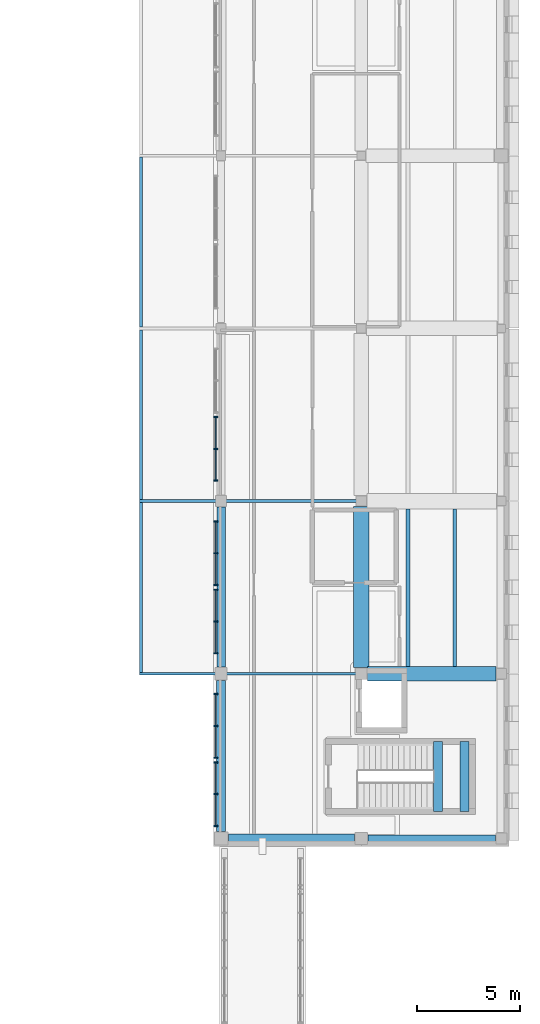
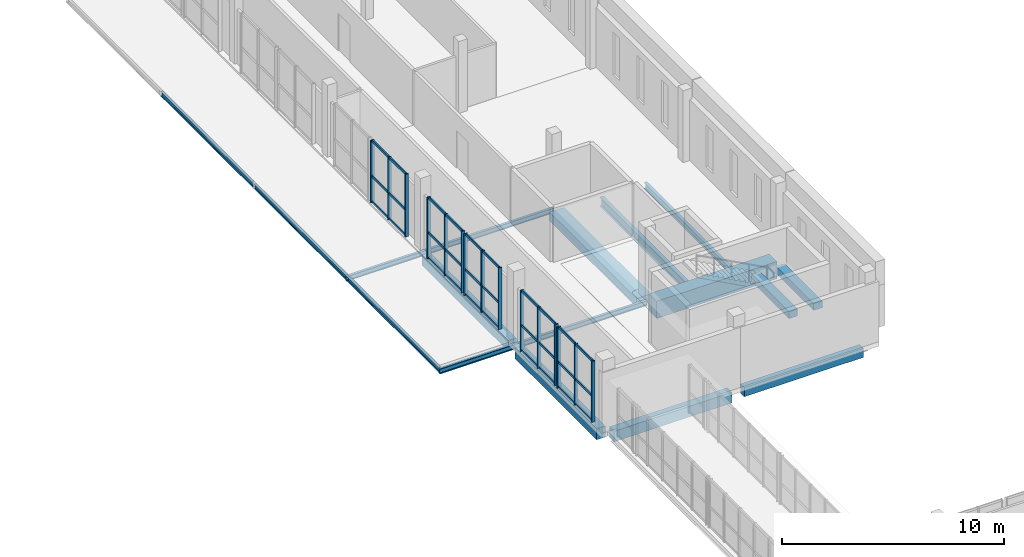
# One storey, part 33 of 76: 45 members, 15 beams, 5 elements without a shape of their own.
"""IFC4 building model written with IfcOpenShell, lengths in metres."""

from ifc_helpers import new_model, si_unit, direction, frame, origin, origin_2d, place, context, subcontext, project, spatial, rectangle, i_section, extrude, material, layer, layer_set, material_profile, profile_set, type_object, element, aggregate, save


model = new_model("IFC4")

# Units and contexts
model_context = context("Model", 3, precision=1e-05, world=origin(), true_north=direction((0.0, 1.0)))
body_context = subcontext(model_context, "Body", "Model", "MODEL_VIEW")
ifc_project = project(units=[si_unit("LENGTHUNIT", "METRE"), si_unit("AREAUNIT", "SQUARE_METRE"), si_unit("VOLUMEUNIT", "CUBIC_METRE"), si_unit("PLANEANGLEUNIT", "RADIAN"), si_unit("MASSUNIT", "GRAM", prefix="KILO")], contexts=[model_context])

# Site, building, storey
site_placement = place(None, origin())
site = spatial("IfcSite", under=ifc_project, at=site_placement, CompositionType="ELEMENT")
building_placement = place(site_placement, origin())
building = spatial("IfcBuilding", under=site, at=building_placement, Name="Vardoun Plaza Health Centre", CompositionType="ELEMENT")
storey_placement = place(building_placement, frame((0.0, 0.0, 4.5)))
storey = spatial("IfcBuildingStorey", under=building, at=storey_placement, Name="L01", CompositionType="ELEMENT", Elevation=4.5)

# Beams
ifc_material_1 = material(Name="Concrete C35/45", Category="concrete")
ifc_material_profile_1 = material_profile(ifc_material_1, rectangle(XDim=0.35009765625, YDim=0.5, at=origin_2d()), Name="RC-BM 350x500")
ifc_profile_set_1 = profile_set([ifc_material_profile_1], Name="Concrete C35/45")
beam_type_1 = type_object("IfcBeamType", Name="B-08", PredefinedType="SPANDREL", material=ifc_profile_set_1)
beam_1_placement = place(storey_placement, frame((158.425048828125, 36.679931640625, -0.5), z_axis=(1.0, 0.0, 0.0), x_axis=(0.0, 1.0, 0.0)))
element("IfcBeam", 1, at=beam_1_placement, inside=storey, type_object=beam_type_1, Name="V6 L01 Beam B-V6-L01-X03", PredefinedType="SPANDREL", context=body_context, shape_type="SweptSolid", body=[
    extrude(rectangle(XDim=0.35009765625, YDim=0.5, at=origin_2d()), origin(), (0.0, 0.0, 1.0), 6.195068359375),
])
ifc_material_2 = material(Name="Concrete C35/45", Category="concrete")
ifc_material_profile_2 = material_profile(ifc_material_2, rectangle(XDim=0.419921875, YDim=0.580078125, at=origin_2d()), Name="RC-BM 420x580")
ifc_profile_set_2 = profile_set([ifc_material_profile_2], Name="Concrete C35/45")
beam_type_2 = type_object("IfcBeamType", Name="B-10", PredefinedType="SPANDREL", material=ifc_profile_set_2)
beam_2_placement = place(storey_placement, frame((151.6298828125, 36.679931640625, -0.5400390625), z_axis=(1.0, 0.0, 0.0), x_axis=(0.0, 1.0, 0.0)))
element("IfcBeam", 2, at=beam_2_placement, inside=storey, type_object=beam_type_2, Name="V6 L01 Beam B-V6-L01-X01", PredefinedType="SPANDREL", context=body_context, shape_type="SweptSolid", body=[
    extrude(rectangle(XDim=0.419921875, YDim=0.580078125, at=origin_2d()), origin(), (0.0, 0.0, 1.0), 6.14501953125),
])
beam_3_placement = place(storey_placement, frame((151.280029296875, 45.025146484375, -0.5400390625), z_axis=(0.0, 1.0, 0.0), x_axis=(-1.0, 0.0, 0.0)))
element("IfcBeam", 3, at=beam_3_placement, inside=storey, type_object=beam_type_2, Name="V6 L01 Beam B-V6-L01-Y11", PredefinedType="SPANDREL", context=body_context, shape_type="SweptSolid", body=[
    extrude(rectangle(XDim=0.419921875, YDim=0.580078125, at=origin_2d()), origin(), (0.0, 0.0, 1.0), 7.77490234375),
])
ifc_material_3 = material(Name="Concrete C35/45", Category="concrete")
ifc_material_profile_3 = material_profile(ifc_material_3, rectangle(XDim=0.449951171875, YDim=0.3798828125, at=origin_2d()), Name="RC-BM 450x380")
ifc_profile_set_3 = profile_set([ifc_material_profile_3], Name="Concrete C35/45")
beam_type_3 = type_object("IfcBeamType", Name="B-01", PredefinedType="BEAM", material=ifc_profile_set_3)
for number, where, z_axis, x_axis, name in (
    (4, (161.840087890625, 38.0, 1.7099609375), (0.0, 1.0, 0.0), (-1.0, 0.0, 0.0), "Stair ST-C10-L01 Landing Beam 1"),
    (5, (163.1201171875, 38.0, 1.7099609375), (0.0, 1.0, 0.0), (-1.0, 0.0, 0.0), "Stair ST-C10-L01 Landing Beam 2"),
):
    element("IfcBeam", number, at=place(storey_placement, frame(where, z_axis=z_axis, x_axis=x_axis)), inside=storey, type_object=beam_type_3, Name=name, PredefinedType="BEAM", context=body_context, shape_type="SweptSolid", body=[
        extrude(rectangle(XDim=0.449951171875, YDim=0.3798828125, at=origin_2d()), origin(), (0.0, 0.0, 1.0), 3.400146484375),
    ])
ifc_material_4 = material(Name="Concrete C35/45", Category="concrete")
ifc_material_profile_4 = material_profile(ifc_material_4, rectangle(XDim=0.449951171875, YDim=0.60009765625, at=origin_2d()), Name="RC-BM 450x600")
ifc_profile_set_4 = profile_set([ifc_material_profile_4], Name="Concrete C35/45")
beam_type_4 = type_object("IfcBeamType", Name="B-11", PredefinedType="SPANDREL", material=ifc_profile_set_4)
beam_4_placement = place(storey_placement, frame((151.280029296875, 37.030029296875, -0.550048828125), z_axis=(0.0, 1.0, 0.0), x_axis=(-1.0, 0.0, 0.0)))
element("IfcBeam", 6, at=beam_4_placement, inside=storey, type_object=beam_type_4, Name="V6 L01 Beam B-V6-L01-Y10", PredefinedType="SPANDREL", context=body_context, shape_type="SweptSolid", body=[
    extrude(rectangle(XDim=0.449951171875, YDim=0.60009765625, at=origin_2d()), origin(), (0.0, 0.0, 1.0), 7.344970703125),
])
ifc_material_5 = material(Name="Concrete C40/50", Category="concrete")
ifc_material_profile_5 = material_profile(ifc_material_5, rectangle(XDim=0.699951171875, YDim=0.949951171875, at=origin_2d()), Name="RC-BM 700x950")
ifc_profile_set_5 = profile_set([ifc_material_profile_5], Name="Concrete C40/50")
beam_type_5 = type_object("IfcBeamType", Name="B-16", PredefinedType="LINTEL", material=ifc_profile_set_5)
beam_5_placement = place(storey_placement, frame((158.39990234375, 44.699951171875, -0.72509765625), z_axis=(1.0, 0.0, 0.0), x_axis=(0.0, 1.0, 0.0)))
element("IfcBeam", 7, at=beam_5_placement, inside=storey, type_object=beam_type_5, Name="V6 L01 Beam B-V6-L01-X04", PredefinedType="LINTEL", context=body_context, shape_type="SweptSolid", body=[
    extrude(rectangle(XDim=0.699951171875, YDim=0.949951171875, at=origin_2d()), origin(), (0.0, 0.0, 1.0), 6.2451171875),
])
ifc_material_6 = material(Name="Concrete C35/45", Category="concrete")
ifc_material_profile_6 = material_profile(ifc_material_6, rectangle(XDim=0.75, YDim=0.47998046875, at=origin_2d()), Name="RC-BM 750x480")
ifc_profile_set_6 = profile_set([ifc_material_profile_6], Name="Concrete C35/45")
beam_type_6 = type_object("IfcBeamType", Name="B-07", PredefinedType="BEAM", material=ifc_profile_set_6)
beam_6_placement = place(storey_placement, frame((158.10009765625, 45.0, -0.489990234375), z_axis=(0.0, 1.0, 0.0), x_axis=(-1.0, 0.0, 0.0)))
element("IfcBeam", 8, at=beam_6_placement, inside=storey, type_object=beam_type_6, Name="V6 L01 Beam B-V6-L01-Y16", PredefinedType="BEAM", context=body_context, shape_type="SweptSolid", body=[
    extrude(rectangle(XDim=0.75, YDim=0.47998046875, at=origin_2d()), origin(), (0.0, 0.0, 1.0), 7.824951171875),
])
ifc_material_7 = material(Name="Steel S355J2", Category="steel")
ifc_material_profile_7 = material_profile(ifc_material_7, i_section(OverallWidth=0.135009765625, OverallDepth=0.27001953125, WebThickness=0.006591796875, FlangeThickness=0.01025390625, FilletRadius=0.014892578125, at=origin_2d()), Name="IPE 270")
ifc_profile_set_7 = profile_set([ifc_material_profile_7], Name="Steel S355J2")
beam_type_7 = type_object("IfcBeamType", Name="SB-16", PredefinedType="JOIST", material=ifc_profile_set_7)
for number, where, z_axis, x_axis, name in (
    (9, (158.10009765625, 44.699951171875, -0.39990234375), (-1.0, 0.0, 0.0), (0.0, -1.0, 0.0), "Forecourt Canopy Continuous Girder 1"),
    (10, (158.10009765625, 53.10009765625, -0.39990234375), (-1.0, 0.0, 0.0), (0.0, -1.0, 0.0), "Forecourt Canopy Continuous Girder 2"),
):
    element("IfcBeam", number, at=place(storey_placement, frame(where, z_axis=z_axis, x_axis=x_axis)), inside=storey, type_object=beam_type_7, Name=name, PredefinedType="JOIST", context=body_context, shape_type="SweptSolid", body=[
        extrude(i_section(OverallWidth=0.135009765625, OverallDepth=0.27001953125, WebThickness=0.006591796875, FlangeThickness=0.01025390625, FilletRadius=0.014892578125, at=origin_2d()), origin(), (0.0, 0.0, 1.0), 10.800048828125),
    ])
for number, where, z_axis, x_axis, name in (
    (11, (147.3798828125, 44.76806640625, -0.39990234375), (0.0, 1.0, 0.0), (-1.0, 0.0, 0.0), "Forecourt Canopy West Fascia Beam W1"),
    (12, (147.3798828125, 53.16796875, -0.39990234375), (0.0, 1.0, 0.0), (-1.0, 0.0, 0.0), "Forecourt Canopy West Fascia Beam W2"),
    (13, (147.3798828125, 61.568115234375, -0.39990234375), (0.0, 1.0, 0.0), (-1.0, 0.0, 0.0), "Forecourt Canopy West Fascia Beam W3"),
):
    element("IfcBeam", number, at=place(storey_placement, frame(where, z_axis=z_axis, x_axis=x_axis)), inside=storey, type_object=beam_type_7, Name=name, PredefinedType="JOIST", context=body_context, shape_type="SweptSolid", body=[
        extrude(i_section(OverallWidth=0.135009765625, OverallDepth=0.27001953125, WebThickness=0.006591796875, FlangeThickness=0.01025390625, FilletRadius=0.014892578125, at=origin_2d()), origin(), (0.0, 0.0, 1.0), 8.263916015625),
    ])
ifc_material_8 = material(Name="Steel S355J2", Category="steel")
ifc_material_profile_8 = material_profile(ifc_material_8, i_section(OverallWidth=0.159912109375, OverallDepth=0.330078125, WebThickness=0.007568359375, FlangeThickness=0.011474609375, FilletRadius=0.01806640625, at=origin_2d()), Name="IPE 330")
ifc_profile_set_8 = profile_set([ifc_material_profile_8], Name="Steel S355J2")
beam_type_8 = type_object("IfcBeamType", Name="SB-14", PredefinedType="JOIST", material=ifc_profile_set_8)
beam_7_placement = place(storey_placement, frame((162.64697265625, 45.050048828125, -0.4150390625), z_axis=(0.0, 1.0, 0.0), x_axis=(-1.0, 0.0, 0.0)))
element("IfcBeam", 14, at=beam_7_placement, inside=storey, type_object=beam_type_8, Name="V6 L01 Secondary Floor Beam SJ-V6-L01-05", PredefinedType="JOIST", context=body_context, shape_type="SweptSolid", body=[
    extrude(i_section(OverallWidth=0.159912109375, OverallDepth=0.330078125, WebThickness=0.007568359375, FlangeThickness=0.011474609375, FilletRadius=0.01806640625, at=origin_2d()), origin(), (0.0, 0.0, 1.0), 7.675048828125),
])
ifc_material_9 = material(Name="Steel S355J2", Category="steel")
ifc_material_profile_9 = material_profile(ifc_material_9, i_section(OverallWidth=0.199951171875, OverallDepth=0.5, WebThickness=0.01025390625, FlangeThickness=0.01611328125, FilletRadius=0.02099609375, at=origin_2d()), Name="IPE 500")
ifc_profile_set_9 = profile_set([ifc_material_profile_9], Name="Steel S355J2")
beam_type_9 = type_object("IfcBeamType", Name="SB-10", PredefinedType="BEAM", material=ifc_profile_set_9)
beam_8_placement = place(storey_placement, frame((160.373046875, 45.050048828125, -0.5), z_axis=(0.0, 1.0, 0.0), x_axis=(-1.0, 0.0, 0.0)))
element("IfcBeam", 15, at=beam_8_placement, inside=storey, type_object=beam_type_9, Name="V6 L01 Secondary Floor Beam SJ-V6-L01-01", PredefinedType="BEAM", context=body_context, shape_type="SweptSolid", body=[
    extrude(i_section(OverallWidth=0.199951171875, OverallDepth=0.5, WebThickness=0.01025390625, FlangeThickness=0.01611328125, FilletRadius=0.02099609375, at=origin_2d()), origin(), (0.0, 0.0, 1.0), 7.675048828125),
])

# Curtain wall, members
ifc_material_10 = material(Name="Aluminium Alloy EN AW-6063-T6 and Low-E Glass", Category="aluminium")
ifc_layer = layer(ifc_material_10, 0.179931640625)
ifc_layer_set = layer_set([ifc_layer], Name="Aluminium Alloy EN AW-6063-T6 and Low-E Glass")
curtain_wall_type = type_object("IfcCurtainWallType", Name="CW-01", PredefinedType="USERDEFINED", material=ifc_layer_set)
curtain_wall_1_placement = place(storey_placement, origin())
curtain_wall_1 = element("IfcCurtainWall", 16, at=curtain_wall_1_placement, inside=storey, type_object=curtain_wall_type, Name="Curtain Wall CW-V6-203", ObjectType="CONCOURSE_CURTAIN_WALL", PredefinedType="USERDEFINED")
ifc_material_11 = material(Name="Aluminium Alloy EN AW-6063-T6", Category="aluminium")
ifc_material_profile_10 = material_profile(ifc_material_11, rectangle(XDim=0.179931640625, YDim=0.06494140625, at=origin_2d()), Name="CWM 65x180")
ifc_profile_set_10 = profile_set([ifc_material_profile_10], Name="Aluminium Alloy EN AW-6063-T6")
member_type_1 = type_object("IfcMemberType", Name="CW-M2", PredefinedType="MULLION", material=ifc_profile_set_10)
member_1_placement = place(storey_placement, frame((151.02001953125, 37.29248046875, 0.0), z_axis=(0.0, 0.0, 1.0), x_axis=(-1.0, 0.0, 0.0)))
member_1 = element("IfcMember", 17, at=member_1_placement, type_object=member_type_1, Name="CW-V6-203 mullion 1", PredefinedType="MULLION", context=body_context, shape_type="SweptSolid", body=[
    extrude(rectangle(XDim=0.179931640625, YDim=0.06494140625, at=origin_2d()), origin(), (0.0, 0.0, 1.0), 3.35498046875),
])
member_2_placement = place(storey_placement, frame((151.02001953125, 38.840087890625, 0.0), z_axis=(0.0, 0.0, 1.0), x_axis=(-1.0, 0.0, 0.0)))
member_2 = element("IfcMember", 18, at=member_2_placement, type_object=member_type_1, Name="CW-V6-203 mullion 2", PredefinedType="MULLION", context=body_context, shape_type="SweptSolid", body=[
    extrude(rectangle(XDim=0.179931640625, YDim=0.06494140625, at=origin_2d()), origin(), (0.0, 0.0, 1.0), 3.35498046875),
])
member_3_placement = place(storey_placement, frame((151.02001953125, 40.387451171875, 0.0), z_axis=(0.0, 0.0, 1.0), x_axis=(-1.0, 0.0, 0.0)))
member_3 = element("IfcMember", 19, at=member_3_placement, type_object=member_type_1, Name="CW-V6-203 mullion 3", PredefinedType="MULLION", context=body_context, shape_type="SweptSolid", body=[
    extrude(rectangle(XDim=0.179931640625, YDim=0.06494140625, at=origin_2d()), origin(), (0.0, 0.0, 1.0), 3.35498046875),
])

curtain_wall_2_placement = place(storey_placement, origin())
curtain_wall_2 = element("IfcCurtainWall", 20, at=curtain_wall_2_placement, inside=storey, type_object=curtain_wall_type, Name="Curtain Wall CW-V6-204", ObjectType="CONCOURSE_CURTAIN_WALL", PredefinedType="USERDEFINED")
member_4_placement = place(storey_placement, frame((151.02001953125, 40.612548828125, 0.0), z_axis=(0.0, 0.0, 1.0), x_axis=(-1.0, 0.0, 0.0)))
member_4 = element("IfcMember", 21, at=member_4_placement, type_object=member_type_1, Name="CW-V6-204 mullion 1", PredefinedType="MULLION", context=body_context, shape_type="SweptSolid", body=[
    extrude(rectangle(XDim=0.179931640625, YDim=0.06494140625, at=origin_2d()), origin(), (0.0, 0.0, 1.0), 3.35498046875),
])
member_5_placement = place(storey_placement, frame((151.02001953125, 42.159912109375, 0.0), z_axis=(0.0, 0.0, 1.0), x_axis=(-1.0, 0.0, 0.0)))
member_5 = element("IfcMember", 22, at=member_5_placement, type_object=member_type_1, Name="CW-V6-204 mullion 2", PredefinedType="MULLION", context=body_context, shape_type="SweptSolid", body=[
    extrude(rectangle(XDim=0.179931640625, YDim=0.06494140625, at=origin_2d()), origin(), (0.0, 0.0, 1.0), 3.35498046875),
])
member_6_placement = place(storey_placement, frame((151.02001953125, 43.70751953125, 0.0), z_axis=(0.0, 0.0, 1.0), x_axis=(-1.0, 0.0, 0.0)))
member_6 = element("IfcMember", 23, at=member_6_placement, type_object=member_type_1, Name="CW-V6-204 mullion 3", PredefinedType="MULLION", context=body_context, shape_type="SweptSolid", body=[
    extrude(rectangle(XDim=0.179931640625, YDim=0.06494140625, at=origin_2d()), origin(), (0.0, 0.0, 1.0), 3.35498046875),
])

curtain_wall_3_placement = place(storey_placement, origin())
curtain_wall_3 = element("IfcCurtainWall", 24, at=curtain_wall_3_placement, inside=storey, type_object=curtain_wall_type, Name="Curtain Wall CW-V6-205", ObjectType="CONCOURSE_CURTAIN_WALL", PredefinedType="USERDEFINED")
member_7_placement = place(storey_placement, frame((151.02001953125, 45.6923828125, 0.0), z_axis=(0.0, 0.0, 1.0), x_axis=(-1.0, 0.0, 0.0)))
member_7 = element("IfcMember", 25, at=member_7_placement, type_object=member_type_1, Name="CW-V6-205 mullion 1", PredefinedType="MULLION", context=body_context, shape_type="SweptSolid", body=[
    extrude(rectangle(XDim=0.179931640625, YDim=0.06494140625, at=origin_2d()), origin(), (0.0, 0.0, 1.0), 3.385009765625),
])
member_8_placement = place(storey_placement, frame((151.02001953125, 47.239990234375, 0.0), z_axis=(0.0, 0.0, 1.0), x_axis=(-1.0, 0.0, 0.0)))
member_8 = element("IfcMember", 26, at=member_8_placement, type_object=member_type_1, Name="CW-V6-205 mullion 2", PredefinedType="MULLION", context=body_context, shape_type="SweptSolid", body=[
    extrude(rectangle(XDim=0.179931640625, YDim=0.06494140625, at=origin_2d()), origin(), (0.0, 0.0, 1.0), 3.385009765625),
])
member_9_placement = place(storey_placement, frame((151.02001953125, 48.78759765625, 0.0), z_axis=(0.0, 0.0, 1.0), x_axis=(-1.0, 0.0, 0.0)))
member_9 = element("IfcMember", 27, at=member_9_placement, type_object=member_type_1, Name="CW-V6-205 mullion 3", PredefinedType="MULLION", context=body_context, shape_type="SweptSolid", body=[
    extrude(rectangle(XDim=0.179931640625, YDim=0.06494140625, at=origin_2d()), origin(), (0.0, 0.0, 1.0), 3.385009765625),
])

curtain_wall_4_placement = place(storey_placement, origin())
curtain_wall_4 = element("IfcCurtainWall", 28, at=curtain_wall_4_placement, inside=storey, type_object=curtain_wall_type, Name="Curtain Wall CW-V6-206", ObjectType="CONCOURSE_CURTAIN_WALL", PredefinedType="USERDEFINED")
member_10_placement = place(storey_placement, frame((151.02001953125, 49.012451171875, 0.0), z_axis=(0.0, 0.0, 1.0), x_axis=(-1.0, 0.0, 0.0)))
member_10 = element("IfcMember", 29, at=member_10_placement, type_object=member_type_1, Name="CW-V6-206 mullion 1", PredefinedType="MULLION", context=body_context, shape_type="SweptSolid", body=[
    extrude(rectangle(XDim=0.179931640625, YDim=0.06494140625, at=origin_2d()), origin(), (0.0, 0.0, 1.0), 3.385009765625),
])
member_11_placement = place(storey_placement, frame((151.02001953125, 50.56005859375, 0.0), z_axis=(0.0, 0.0, 1.0), x_axis=(-1.0, 0.0, 0.0)))
member_11 = element("IfcMember", 30, at=member_11_placement, type_object=member_type_1, Name="CW-V6-206 mullion 2", PredefinedType="MULLION", context=body_context, shape_type="SweptSolid", body=[
    extrude(rectangle(XDim=0.179931640625, YDim=0.06494140625, at=origin_2d()), origin(), (0.0, 0.0, 1.0), 3.385009765625),
])
member_12_placement = place(storey_placement, frame((151.02001953125, 52.107421875, 0.0), z_axis=(0.0, 0.0, 1.0), x_axis=(-1.0, 0.0, 0.0)))
member_12 = element("IfcMember", 31, at=member_12_placement, type_object=member_type_1, Name="CW-V6-206 mullion 3", PredefinedType="MULLION", context=body_context, shape_type="SweptSolid", body=[
    extrude(rectangle(XDim=0.179931640625, YDim=0.06494140625, at=origin_2d()), origin(), (0.0, 0.0, 1.0), 3.385009765625),
])

curtain_wall_5_placement = place(storey_placement, origin())
curtain_wall_5 = element("IfcCurtainWall", 32, at=curtain_wall_5_placement, inside=storey, type_object=curtain_wall_type, Name="Curtain Wall CW-V6-207", ObjectType="CONCOURSE_CURTAIN_WALL", PredefinedType="USERDEFINED")
member_13_placement = place(storey_placement, frame((151.02001953125, 54.092529296875, 0.0), z_axis=(0.0, 0.0, 1.0), x_axis=(-1.0, 0.0, 0.0)))
member_13 = element("IfcMember", 33, at=member_13_placement, type_object=member_type_1, Name="CW-V6-207 mullion 1", PredefinedType="MULLION", context=body_context, shape_type="SweptSolid", body=[
    extrude(rectangle(XDim=0.179931640625, YDim=0.06494140625, at=origin_2d()), origin(), (0.0, 0.0, 1.0), 3.43505859375),
])
member_14_placement = place(storey_placement, frame((151.02001953125, 55.639892578125, 0.0), z_axis=(0.0, 0.0, 1.0), x_axis=(-1.0, 0.0, 0.0)))
member_14 = element("IfcMember", 34, at=member_14_placement, type_object=member_type_1, Name="CW-V6-207 mullion 2", PredefinedType="MULLION", context=body_context, shape_type="SweptSolid", body=[
    extrude(rectangle(XDim=0.179931640625, YDim=0.06494140625, at=origin_2d()), origin(), (0.0, 0.0, 1.0), 3.43505859375),
])
member_15_placement = place(storey_placement, frame((151.02001953125, 57.1875, 0.0), z_axis=(0.0, 0.0, 1.0), x_axis=(-1.0, 0.0, 0.0)))
member_15 = element("IfcMember", 35, at=member_15_placement, type_object=member_type_1, Name="CW-V6-207 mullion 3", PredefinedType="MULLION", context=body_context, shape_type="SweptSolid", body=[
    extrude(rectangle(XDim=0.179931640625, YDim=0.06494140625, at=origin_2d()), origin(), (0.0, 0.0, 1.0), 3.43505859375),
])

# Member
ifc_material_12 = material(Name="Aluminium Alloy EN AW-6063-T6", Category="aluminium")
ifc_material_profile_11 = material_profile(ifc_material_12, rectangle(XDim=0.06494140625, YDim=0.139892578125, at=origin_2d()), Name="CWT 65x140")
ifc_profile_set_11 = profile_set([ifc_material_profile_11], Name="Aluminium Alloy EN AW-6063-T6")
member_type_2 = type_object("IfcMemberType", Name="CW-T2", PredefinedType="USERDEFINED", material=ifc_profile_set_11)
member_16_placement = place(storey_placement, frame((151.02001953125, 37.324951171875, 0.032470703125), z_axis=(0.0, 1.0, 0.0), x_axis=(-1.0, 0.0, 0.0)))
member_16 = element("IfcMember", 36, at=member_16_placement, type_object=member_type_2, Name="CW-V6-203 transom 1.1", ObjectType="TRANSOM", PredefinedType="USERDEFINED", context=body_context, shape_type="SweptSolid", body=[
    extrude(rectangle(XDim=0.06494140625, YDim=0.139892578125, at=origin_2d()), origin(), (0.0, 0.0, 1.0), 1.482666015625),
])

member_17_placement = place(storey_placement, frame((151.02001953125, 37.324951171875, 1.4091796875), z_axis=(0.0, 1.0, 0.0), x_axis=(-1.0, 0.0, 0.0)))
member_17 = element("IfcMember", 37, at=member_17_placement, type_object=member_type_2, Name="CW-V6-203 transom 1.2", ObjectType="TRANSOM", PredefinedType="USERDEFINED", context=body_context, shape_type="SweptSolid", body=[
    extrude(rectangle(XDim=0.06494140625, YDim=0.139892578125, at=origin_2d()), origin(), (0.0, 0.0, 1.0), 1.482666015625),
])

member_18_placement = place(storey_placement, frame((151.02001953125, 37.324951171875, 3.322509765625), z_axis=(0.0, 1.0, 0.0), x_axis=(-1.0, 0.0, 0.0)))
member_18 = element("IfcMember", 38, at=member_18_placement, type_object=member_type_2, Name="CW-V6-203 transom 1.3", ObjectType="TRANSOM", PredefinedType="USERDEFINED", context=body_context, shape_type="SweptSolid", body=[
    extrude(rectangle(XDim=0.06494140625, YDim=0.139892578125, at=origin_2d()), origin(), (0.0, 0.0, 1.0), 1.482666015625),
])

member_19_placement = place(storey_placement, frame((151.02001953125, 38.87255859375, 0.032470703125), z_axis=(0.0, 1.0, 0.0), x_axis=(-1.0, 0.0, 0.0)))
member_19 = element("IfcMember", 39, at=member_19_placement, type_object=member_type_2, Name="CW-V6-203 transom 2.1", ObjectType="TRANSOM", PredefinedType="USERDEFINED", context=body_context, shape_type="SweptSolid", body=[
    extrude(rectangle(XDim=0.06494140625, YDim=0.139892578125, at=origin_2d()), origin(), (0.0, 0.0, 1.0), 1.482421875),
])

member_20_placement = place(storey_placement, frame((151.02001953125, 38.87255859375, 1.4091796875), z_axis=(0.0, 1.0, 0.0), x_axis=(-1.0, 0.0, 0.0)))
member_20 = element("IfcMember", 40, at=member_20_placement, type_object=member_type_2, Name="CW-V6-203 transom 2.2", ObjectType="TRANSOM", PredefinedType="USERDEFINED", context=body_context, shape_type="SweptSolid", body=[
    extrude(rectangle(XDim=0.06494140625, YDim=0.139892578125, at=origin_2d()), origin(), (0.0, 0.0, 1.0), 1.482421875),
])

member_21_placement = place(storey_placement, frame((151.02001953125, 38.87255859375, 3.322509765625), z_axis=(0.0, 1.0, 0.0), x_axis=(-1.0, 0.0, 0.0)))
member_21 = element("IfcMember", 41, at=member_21_placement, type_object=member_type_2, Name="CW-V6-203 transom 2.3", ObjectType="TRANSOM", PredefinedType="USERDEFINED", context=body_context, shape_type="SweptSolid", body=[
    extrude(rectangle(XDim=0.06494140625, YDim=0.139892578125, at=origin_2d()), origin(), (0.0, 0.0, 1.0), 1.482421875),
])

aggregate(curtain_wall_1, [member_1, member_2, member_3, member_16, member_17, member_18, member_19, member_20, member_21])

member_22_placement = place(storey_placement, frame((151.02001953125, 40.64501953125, 0.032470703125), z_axis=(0.0, 1.0, 0.0), x_axis=(-1.0, 0.0, 0.0)))
member_22 = element("IfcMember", 42, at=member_22_placement, type_object=member_type_2, Name="CW-V6-204 transom 1.1", ObjectType="TRANSOM", PredefinedType="USERDEFINED", context=body_context, shape_type="SweptSolid", body=[
    extrude(rectangle(XDim=0.06494140625, YDim=0.139892578125, at=origin_2d()), origin(), (0.0, 0.0, 1.0), 1.482421875),
])

member_23_placement = place(storey_placement, frame((151.02001953125, 40.64501953125, 1.4091796875), z_axis=(0.0, 1.0, 0.0), x_axis=(-1.0, 0.0, 0.0)))
member_23 = element("IfcMember", 43, at=member_23_placement, type_object=member_type_2, Name="CW-V6-204 transom 1.2", ObjectType="TRANSOM", PredefinedType="USERDEFINED", context=body_context, shape_type="SweptSolid", body=[
    extrude(rectangle(XDim=0.06494140625, YDim=0.139892578125, at=origin_2d()), origin(), (0.0, 0.0, 1.0), 1.482421875),
])

member_24_placement = place(storey_placement, frame((151.02001953125, 40.64501953125, 3.322509765625), z_axis=(0.0, 1.0, 0.0), x_axis=(-1.0, 0.0, 0.0)))
member_24 = element("IfcMember", 44, at=member_24_placement, type_object=member_type_2, Name="CW-V6-204 transom 1.3", ObjectType="TRANSOM", PredefinedType="USERDEFINED", context=body_context, shape_type="SweptSolid", body=[
    extrude(rectangle(XDim=0.06494140625, YDim=0.139892578125, at=origin_2d()), origin(), (0.0, 0.0, 1.0), 1.482421875),
])

member_25_placement = place(storey_placement, frame((151.02001953125, 42.1923828125, 0.032470703125), z_axis=(0.0, 1.0, 0.0), x_axis=(-1.0, 0.0, 0.0)))
member_25 = element("IfcMember", 45, at=member_25_placement, type_object=member_type_2, Name="CW-V6-204 transom 2.1", ObjectType="TRANSOM", PredefinedType="USERDEFINED", context=body_context, shape_type="SweptSolid", body=[
    extrude(rectangle(XDim=0.06494140625, YDim=0.139892578125, at=origin_2d()), origin(), (0.0, 0.0, 1.0), 1.482666015625),
])

member_26_placement = place(storey_placement, frame((151.02001953125, 42.1923828125, 1.4091796875), z_axis=(0.0, 1.0, 0.0), x_axis=(-1.0, 0.0, 0.0)))
member_26 = element("IfcMember", 46, at=member_26_placement, type_object=member_type_2, Name="CW-V6-204 transom 2.2", ObjectType="TRANSOM", PredefinedType="USERDEFINED", context=body_context, shape_type="SweptSolid", body=[
    extrude(rectangle(XDim=0.06494140625, YDim=0.139892578125, at=origin_2d()), origin(), (0.0, 0.0, 1.0), 1.482666015625),
])

member_27_placement = place(storey_placement, frame((151.02001953125, 42.1923828125, 3.322509765625), z_axis=(0.0, 1.0, 0.0), x_axis=(-1.0, 0.0, 0.0)))
member_27 = element("IfcMember", 47, at=member_27_placement, type_object=member_type_2, Name="CW-V6-204 transom 2.3", ObjectType="TRANSOM", PredefinedType="USERDEFINED", context=body_context, shape_type="SweptSolid", body=[
    extrude(rectangle(XDim=0.06494140625, YDim=0.139892578125, at=origin_2d()), origin(), (0.0, 0.0, 1.0), 1.482666015625),
])

aggregate(curtain_wall_2, [member_4, member_5, member_6, member_22, member_23, member_24, member_25, member_26, member_27])

member_28_placement = place(storey_placement, frame((151.02001953125, 45.72509765625, 0.032470703125), z_axis=(0.0, 1.0, 0.0), x_axis=(-1.0, 0.0, 0.0)))
member_28 = element("IfcMember", 48, at=member_28_placement, type_object=member_type_2, Name="CW-V6-205 transom 1.1", ObjectType="TRANSOM", PredefinedType="USERDEFINED", context=body_context, shape_type="SweptSolid", body=[
    extrude(rectangle(XDim=0.06494140625, YDim=0.139892578125, at=origin_2d()), origin(), (0.0, 0.0, 1.0), 1.482421875),
])

member_29_placement = place(storey_placement, frame((151.02001953125, 45.72509765625, 1.421630859375), z_axis=(0.0, 1.0, 0.0), x_axis=(-1.0, 0.0, 0.0)))
member_29 = element("IfcMember", 49, at=member_29_placement, type_object=member_type_2, Name="CW-V6-205 transom 1.2", ObjectType="TRANSOM", PredefinedType="USERDEFINED", context=body_context, shape_type="SweptSolid", body=[
    extrude(rectangle(XDim=0.06494140625, YDim=0.139892578125, at=origin_2d()), origin(), (0.0, 0.0, 1.0), 1.482421875),
])

member_30_placement = place(storey_placement, frame((151.02001953125, 45.72509765625, 3.3525390625), z_axis=(0.0, 1.0, 0.0), x_axis=(-1.0, 0.0, 0.0)))
member_30 = element("IfcMember", 50, at=member_30_placement, type_object=member_type_2, Name="CW-V6-205 transom 1.3", ObjectType="TRANSOM", PredefinedType="USERDEFINED", context=body_context, shape_type="SweptSolid", body=[
    extrude(rectangle(XDim=0.06494140625, YDim=0.139892578125, at=origin_2d()), origin(), (0.0, 0.0, 1.0), 1.482421875),
])

member_31_placement = place(storey_placement, frame((151.02001953125, 47.2724609375, 0.032470703125), z_axis=(0.0, 1.0, 0.0), x_axis=(-1.0, 0.0, 0.0)))
member_31 = element("IfcMember", 51, at=member_31_placement, type_object=member_type_2, Name="CW-V6-205 transom 2.1", ObjectType="TRANSOM", PredefinedType="USERDEFINED", context=body_context, shape_type="SweptSolid", body=[
    extrude(rectangle(XDim=0.06494140625, YDim=0.139892578125, at=origin_2d()), origin(), (0.0, 0.0, 1.0), 1.482421875),
])

member_32_placement = place(storey_placement, frame((151.02001953125, 47.2724609375, 1.421630859375), z_axis=(0.0, 1.0, 0.0), x_axis=(-1.0, 0.0, 0.0)))
member_32 = element("IfcMember", 52, at=member_32_placement, type_object=member_type_2, Name="CW-V6-205 transom 2.2", ObjectType="TRANSOM", PredefinedType="USERDEFINED", context=body_context, shape_type="SweptSolid", body=[
    extrude(rectangle(XDim=0.06494140625, YDim=0.139892578125, at=origin_2d()), origin(), (0.0, 0.0, 1.0), 1.482421875),
])

member_33_placement = place(storey_placement, frame((151.02001953125, 47.2724609375, 3.3525390625), z_axis=(0.0, 1.0, 0.0), x_axis=(-1.0, 0.0, 0.0)))
member_33 = element("IfcMember", 53, at=member_33_placement, type_object=member_type_2, Name="CW-V6-205 transom 2.3", ObjectType="TRANSOM", PredefinedType="USERDEFINED", context=body_context, shape_type="SweptSolid", body=[
    extrude(rectangle(XDim=0.06494140625, YDim=0.139892578125, at=origin_2d()), origin(), (0.0, 0.0, 1.0), 1.482421875),
])

aggregate(curtain_wall_3, [member_7, member_8, member_9, member_28, member_29, member_30, member_31, member_32, member_33])

member_34_placement = place(storey_placement, frame((151.02001953125, 49.044921875, 0.032470703125), z_axis=(0.0, 1.0, 0.0), x_axis=(-1.0, 0.0, 0.0)))
member_34 = element("IfcMember", 54, at=member_34_placement, type_object=member_type_2, Name="CW-V6-206 transom 1.1", ObjectType="TRANSOM", PredefinedType="USERDEFINED", context=body_context, shape_type="SweptSolid", body=[
    extrude(rectangle(XDim=0.06494140625, YDim=0.139892578125, at=origin_2d()), origin(), (0.0, 0.0, 1.0), 1.482666015625),
])

member_35_placement = place(storey_placement, frame((151.02001953125, 49.044921875, 1.421630859375), z_axis=(0.0, 1.0, 0.0), x_axis=(-1.0, 0.0, 0.0)))
member_35 = element("IfcMember", 55, at=member_35_placement, type_object=member_type_2, Name="CW-V6-206 transom 1.2", ObjectType="TRANSOM", PredefinedType="USERDEFINED", context=body_context, shape_type="SweptSolid", body=[
    extrude(rectangle(XDim=0.06494140625, YDim=0.139892578125, at=origin_2d()), origin(), (0.0, 0.0, 1.0), 1.482666015625),
])

member_36_placement = place(storey_placement, frame((151.02001953125, 49.044921875, 3.3525390625), z_axis=(0.0, 1.0, 0.0), x_axis=(-1.0, 0.0, 0.0)))
member_36 = element("IfcMember", 56, at=member_36_placement, type_object=member_type_2, Name="CW-V6-206 transom 1.3", ObjectType="TRANSOM", PredefinedType="USERDEFINED", context=body_context, shape_type="SweptSolid", body=[
    extrude(rectangle(XDim=0.06494140625, YDim=0.139892578125, at=origin_2d()), origin(), (0.0, 0.0, 1.0), 1.482666015625),
])

member_37_placement = place(storey_placement, frame((151.02001953125, 50.592529296875, 0.032470703125), z_axis=(0.0, 1.0, 0.0), x_axis=(-1.0, 0.0, 0.0)))
member_37 = element("IfcMember", 57, at=member_37_placement, type_object=member_type_2, Name="CW-V6-206 transom 2.1", ObjectType="TRANSOM", PredefinedType="USERDEFINED", context=body_context, shape_type="SweptSolid", body=[
    extrude(rectangle(XDim=0.06494140625, YDim=0.139892578125, at=origin_2d()), origin(), (0.0, 0.0, 1.0), 1.482421875),
])

member_38_placement = place(storey_placement, frame((151.02001953125, 50.592529296875, 1.421630859375), z_axis=(0.0, 1.0, 0.0), x_axis=(-1.0, 0.0, 0.0)))
member_38 = element("IfcMember", 58, at=member_38_placement, type_object=member_type_2, Name="CW-V6-206 transom 2.2", ObjectType="TRANSOM", PredefinedType="USERDEFINED", context=body_context, shape_type="SweptSolid", body=[
    extrude(rectangle(XDim=0.06494140625, YDim=0.139892578125, at=origin_2d()), origin(), (0.0, 0.0, 1.0), 1.482421875),
])

member_39_placement = place(storey_placement, frame((151.02001953125, 50.592529296875, 3.3525390625), z_axis=(0.0, 1.0, 0.0), x_axis=(-1.0, 0.0, 0.0)))
member_39 = element("IfcMember", 59, at=member_39_placement, type_object=member_type_2, Name="CW-V6-206 transom 2.3", ObjectType="TRANSOM", PredefinedType="USERDEFINED", context=body_context, shape_type="SweptSolid", body=[
    extrude(rectangle(XDim=0.06494140625, YDim=0.139892578125, at=origin_2d()), origin(), (0.0, 0.0, 1.0), 1.482421875),
])

aggregate(curtain_wall_4, [member_10, member_11, member_12, member_34, member_35, member_36, member_37, member_38, member_39])

member_40_placement = place(storey_placement, frame((151.02001953125, 54.125, 0.032470703125), z_axis=(0.0, 1.0, 0.0), x_axis=(-1.0, 0.0, 0.0)))
member_40 = element("IfcMember", 60, at=member_40_placement, type_object=member_type_2, Name="CW-V6-207 transom 1.1", ObjectType="TRANSOM", PredefinedType="USERDEFINED", context=body_context, shape_type="SweptSolid", body=[
    extrude(rectangle(XDim=0.06494140625, YDim=0.139892578125, at=origin_2d()), origin(), (0.0, 0.0, 1.0), 1.482421875),
])

member_41_placement = place(storey_placement, frame((151.02001953125, 54.125, 1.442626953125), z_axis=(0.0, 1.0, 0.0), x_axis=(-1.0, 0.0, 0.0)))
member_41 = element("IfcMember", 61, at=member_41_placement, type_object=member_type_2, Name="CW-V6-207 transom 1.2", ObjectType="TRANSOM", PredefinedType="USERDEFINED", context=body_context, shape_type="SweptSolid", body=[
    extrude(rectangle(XDim=0.06494140625, YDim=0.139892578125, at=origin_2d()), origin(), (0.0, 0.0, 1.0), 1.482421875),
])

member_42_placement = place(storey_placement, frame((151.02001953125, 54.125, 3.402587890625), z_axis=(0.0, 1.0, 0.0), x_axis=(-1.0, 0.0, 0.0)))
member_42 = element("IfcMember", 62, at=member_42_placement, type_object=member_type_2, Name="CW-V6-207 transom 1.3", ObjectType="TRANSOM", PredefinedType="USERDEFINED", context=body_context, shape_type="SweptSolid", body=[
    extrude(rectangle(XDim=0.06494140625, YDim=0.139892578125, at=origin_2d()), origin(), (0.0, 0.0, 1.0), 1.482421875),
])

member_43_placement = place(storey_placement, frame((151.02001953125, 55.672607421875, 0.032470703125), z_axis=(0.0, 1.0, 0.0), x_axis=(-1.0, 0.0, 0.0)))
member_43 = element("IfcMember", 63, at=member_43_placement, type_object=member_type_2, Name="CW-V6-207 transom 2.1", ObjectType="TRANSOM", PredefinedType="USERDEFINED", context=body_context, shape_type="SweptSolid", body=[
    extrude(rectangle(XDim=0.06494140625, YDim=0.139892578125, at=origin_2d()), origin(), (0.0, 0.0, 1.0), 1.482421875),
])

member_44_placement = place(storey_placement, frame((151.02001953125, 55.672607421875, 1.442626953125), z_axis=(0.0, 1.0, 0.0), x_axis=(-1.0, 0.0, 0.0)))
member_44 = element("IfcMember", 64, at=member_44_placement, type_object=member_type_2, Name="CW-V6-207 transom 2.2", ObjectType="TRANSOM", PredefinedType="USERDEFINED", context=body_context, shape_type="SweptSolid", body=[
    extrude(rectangle(XDim=0.06494140625, YDim=0.139892578125, at=origin_2d()), origin(), (0.0, 0.0, 1.0), 1.482421875),
])

member_45_placement = place(storey_placement, frame((151.02001953125, 55.672607421875, 3.402587890625), z_axis=(0.0, 1.0, 0.0), x_axis=(-1.0, 0.0, 0.0)))
member_45 = element("IfcMember", 65, at=member_45_placement, type_object=member_type_2, Name="CW-V6-207 transom 2.3", ObjectType="TRANSOM", PredefinedType="USERDEFINED", context=body_context, shape_type="SweptSolid", body=[
    extrude(rectangle(XDim=0.06494140625, YDim=0.139892578125, at=origin_2d()), origin(), (0.0, 0.0, 1.0), 1.482421875),
])

aggregate(curtain_wall_5, [member_13, member_14, member_15, member_40, member_41, member_42, member_43, member_44, member_45])

save(model, "model.ifc")
